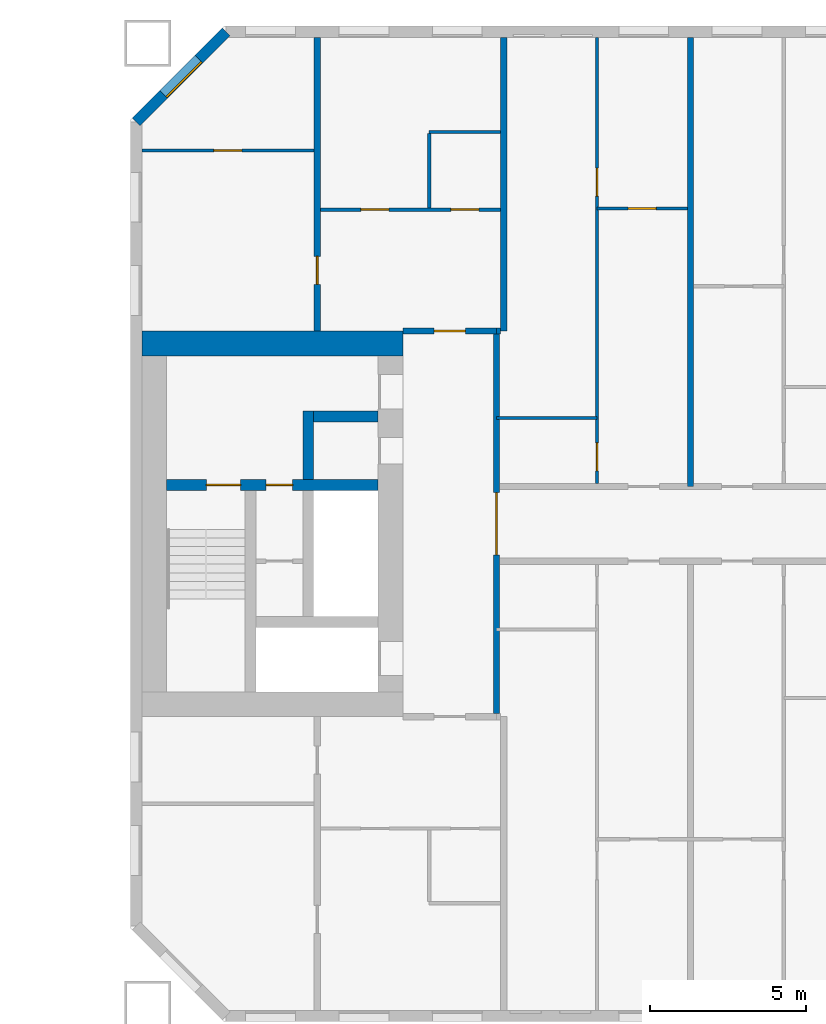
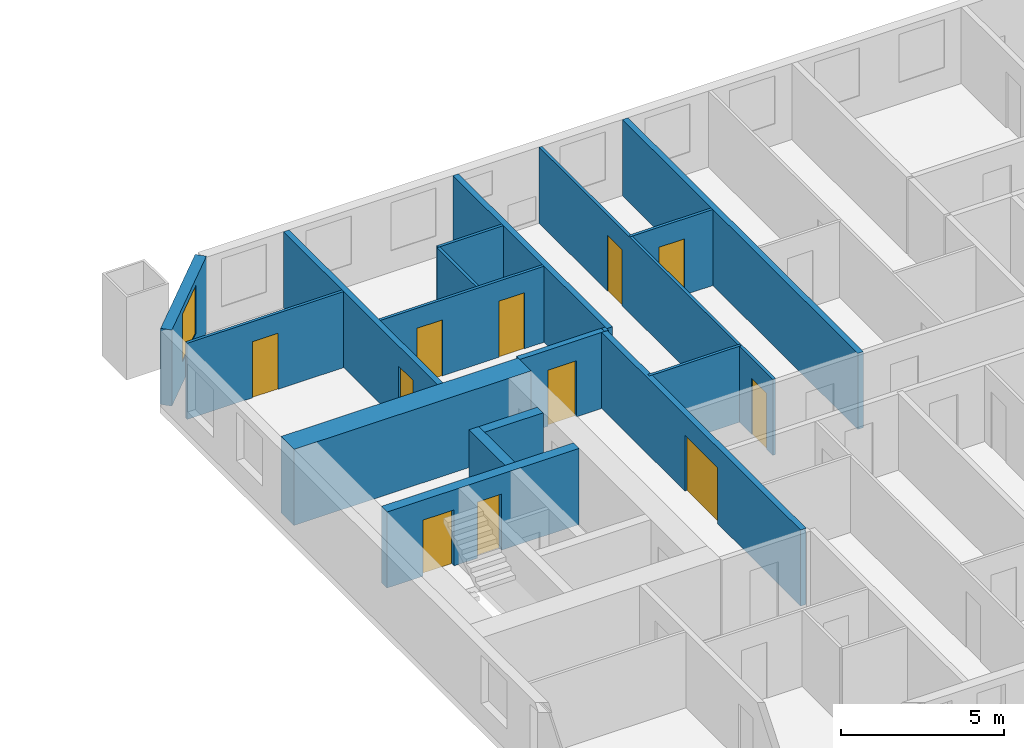
# One storey, part 10 of 17: 18 walls, 11 doors, 1 window, 12 openings.
"""IFC4 building model written with IfcOpenShell, lengths in metres."""

from ifc_helpers import new_model, si_unit, direction, frame, frame_2d, origin, place, context, subcontext, project, spatial, rectangle, extrude, material, layer, layer_set, type_object, element, fill, save


model = new_model("IFC4")

# Units and contexts
model_context = context("Model", 3, precision=1e-05, world=origin(), true_north=direction((0.0, 1.0)))
body_context = subcontext(model_context, "Body", "Model", "MODEL_VIEW")
ifc_project = project(units=[si_unit("LENGTHUNIT", "METRE"), si_unit("AREAUNIT", "SQUARE_METRE"), si_unit("VOLUMEUNIT", "CUBIC_METRE"), si_unit("PLANEANGLEUNIT", "RADIAN"), si_unit("MASSUNIT", "GRAM", prefix="KILO")], contexts=[model_context])

# Site, building, storey
site_placement = place(None, origin())
site = spatial("IfcSite", under=ifc_project, at=site_placement, CompositionType="ELEMENT")
building_placement = place(site_placement, origin())
building = spatial("IfcBuilding", under=site, at=building_placement, Name="Tuart Gate Housing", CompositionType="ELEMENT")
storey_placement = place(building_placement, frame((0.0, 0.0, 53.60009765625)))
storey = spatial("IfcBuildingStorey", under=building, at=storey_placement, Name="L14", CompositionType="ELEMENT", Elevation=53.60009765625)

# Wall, opening, window
ifc_material_1 = material(Name="Brick", Category="masonry")
ifc_layer_1 = layer(ifc_material_1, 0.360107421875)
ifc_layer_set_1 = layer_set([ifc_layer_1], Name="Brick pier and spandrel wall 360")
wall_type_1 = type_object("IfcWallType", Name="Brick pier and spandrel wall 360", PredefinedType="STANDARD", material=ifc_layer_set_1)
wall_1_placement = place(storey_placement, frame((134.07470703125, 85.820068359375, 0.0), z_axis=(0.0, 0.0, 1.0), x_axis=(-0.707106781187, -0.707106781187, 0.0)))
wall_1 = element("IfcWall", 1, at=wall_1_placement, inside=storey, type_object=wall_type_1, Name="External wall B-NW L14", PredefinedType="STANDARD", context=body_context, shape_type="SweptSolid", body=[
    extrude(rectangle(XDim=4.09375, YDim=0.360107421875, at=frame_2d((2.046875, 0.0))), origin(), (0.0, 0.0, 1.0), 2.849853515625),
])
opening_1_placement = place(wall_1_placement, frame((1.2470703125, 0.0, 0.800048828125)))
opening_1 = element("IfcOpeningElement", 2, at=opening_1_placement, cuts=wall_1, Name="Opening W1", PredefinedType="OPENING", context=body_context, shape_type="SweptSolid", body=[
    extrude(rectangle(XDim=1.60009765625, YDim=1.800048828125, at=frame_2d((0.800048828125, 0.89990234375))), frame((0.0, 0.18994140625, 0.0), z_axis=(0.0, -1.0, 0.0), x_axis=(1.0, 0.0, 0.0)), (0.0, 0.0, 1.0), 0.380126953125),
])
ifc_material_2 = material(Name="Aluminium frame with clear glass", Category="aluminium")
window_type = type_object("IfcWindowType", Name="Punched window 1600 x 1800", PartitioningType="SINGLE_PANEL", PredefinedType="WINDOW", material=ifc_material_2)
window_placement = place(opening_1_placement, origin())
window = element("IfcWindow", 3, at=window_placement, inside=storey, type_object=window_type, Name="Window W1", OverallHeight=1.800048828125, OverallWidth=1.60009765625, PartitioningType="SINGLE_PANEL", PredefinedType="WINDOW", context=body_context, shape_type="SweptSolid", body=[
    extrude(rectangle(XDim=1.60009765625, YDim=1.800048828125, at=frame_2d((0.800048828125, 0.89990234375))), frame((0.0, 0.150146484375, 0.0), z_axis=(0.0, -1.0, 0.0), x_axis=(1.0, 0.0, 0.0)), (0.0, 0.0, 1.0), 0.06005859375),
])
fill(opening_1, window)

# Wall, openings, doors
ifc_material_3 = material(Name="Concrete C60", Category="concrete")
ifc_layer_2 = layer(ifc_material_3, 0.35009765625)
ifc_layer_set_2 = layer_set([ifc_layer_2], Name="Core wall 350 C60")
wall_type_2 = type_object("IfcWallType", Name="Core wall 350 C60", PredefinedType="SHEAR", material=ifc_layer_set_2)
wall_2_placement = place(storey_placement, frame((138.9599609375, 71.25, 0.0), z_axis=(0.0, 0.0, 1.0), x_axis=(-1.0, 0.0, 0.0)))
wall_2 = element("IfcWall", 4, at=wall_2_placement, inside=storey, type_object=wall_type_2, Name="Core wall BG.3", PredefinedType="SHEAR", context=body_context, shape_type="SweptSolid", body=[
    extrude(rectangle(XDim=6.800048828125, YDim=0.35009765625, at=frame_2d((3.39990234375, 0.0))), origin(), (0.0, 0.0, 1.0), 2.849853515625),
])
opening_2_placement = place(wall_2_placement, frame((4.425048828125, 0.0, 0.0)))
opening_2 = element("IfcOpeningElement", 5, at=opening_2_placement, cuts=wall_2, Name="Opening D798", PredefinedType="OPENING", context=body_context, shape_type="SweptSolid", body=[
    extrude(rectangle(XDim=1.10009765625, YDim=2.10009765625, at=frame_2d((0.550048828125, 1.050048828125))), frame((0.0, 0.18505859375, 0.0), z_axis=(0.0, -1.0, 0.0), x_axis=(1.0, 0.0, 0.0)), (0.0, 0.0, 1.0), 0.3701171875),
])
opening_3_placement = place(wall_2_placement, frame((2.75, 0.0, 0.0)))
opening_3 = element("IfcOpeningElement", 6, at=opening_3_placement, cuts=wall_2, Name="Opening D797", PredefinedType="OPENING", context=body_context, shape_type="SweptSolid", body=[
    extrude(rectangle(XDim=0.85009765625, YDim=2.10009765625, at=frame_2d((0.425048828125, 1.050048828125))), frame((0.0, 0.18505859375, 0.0), z_axis=(0.0, -1.0, 0.0), x_axis=(1.0, 0.0, 0.0)), (0.0, 0.0, 1.0), 0.3701171875),
])
ifc_material_4 = material(Name="Steel fire door", Category="steel")
door_type_1 = type_object("IfcDoorType", Name="Riser door 850 x 2100", OperationType="SINGLE_SWING_LEFT", PredefinedType="DOOR", material=ifc_material_4)
door_1_placement = place(opening_3_placement, origin())
door_1 = element("IfcDoor", 7, at=door_1_placement, inside=storey, type_object=door_type_1, Name="Service room door BG.W1", OperationType="SINGLE_SWING_LEFT", OverallHeight=2.10009765625, OverallWidth=0.85009765625, PredefinedType="DOOR", context=body_context, shape_type="SweptSolid", body=[
    extrude(rectangle(XDim=0.85009765625, YDim=2.10009765625, at=frame_2d((0.425048828125, 1.050048828125))), frame((0.0, 0.02490234375, 0.0), z_axis=(0.0, -1.0, 0.0), x_axis=(1.0, 0.0, 0.0)), (0.0, 0.0, 1.0), 0.050048828125),
])
fill(opening_3, door_1)
ifc_material_5 = material(Name="Steel fire door", Category="steel")
door_type_2 = type_object("IfcDoorType", Name="Stair door 1100 x 2100", OperationType="SINGLE_SWING_LEFT", PredefinedType="DOOR", material=ifc_material_5)
door_2_placement = place(opening_2_placement, origin())
door_2 = element("IfcDoor", 8, at=door_2_placement, inside=storey, type_object=door_type_2, Name="Stair door BG.SD", OperationType="SINGLE_SWING_LEFT", OverallHeight=2.10009765625, OverallWidth=1.10009765625, PredefinedType="DOOR", context=body_context, shape_type="SweptSolid", body=[
    extrude(rectangle(XDim=1.10009765625, YDim=2.10009765625, at=frame_2d((0.550048828125, 1.050048828125))), frame((0.0, 0.02490234375, 0.0), z_axis=(0.0, -1.0, 0.0), x_axis=(1.0, 0.0, 0.0)), (0.0, 0.0, 1.0), 0.050048828125),
])
fill(opening_2, door_2)

# Walls
wall_3_placement = place(storey_placement, frame((138.9599609375, 73.449951171875, 0.0), z_axis=(0.0, 0.0, 1.0), x_axis=(-1.0, 0.0, 0.0)))
element("IfcWall", 9, at=wall_3_placement, inside=storey, type_object=wall_type_2, Name="Core wall BG.4", PredefinedType="SHEAR", context=body_context, shape_type="SweptSolid", body=[
    extrude(rectangle(XDim=2.074951171875, YDim=0.35009765625, at=frame_2d((1.03759765625, 0.0))), origin(), (0.0, 0.0, 1.0), 2.849853515625),
])
wall_4_placement = place(storey_placement, frame((136.7099609375, 71.425048828125, 0.0), z_axis=(0.0, 0.0, 1.0), x_axis=(0.0, 1.0, 0.0)))
element("IfcWall", 10, at=wall_4_placement, inside=storey, type_object=wall_type_2, Name="Core wall BG.6", PredefinedType="SHEAR", context=body_context, shape_type="SweptSolid", body=[
    extrude(rectangle(XDim=2.199951171875, YDim=0.35009765625, at=frame_2d((1.10009765625, 0.0))), origin(), (0.0, 0.0, 1.0), 2.849853515625),
])
ifc_material_6 = material(Name="Concrete C60", Category="concrete")
ifc_layer_3 = layer(ifc_material_6, 0.800048828125)
ifc_layer_set_3 = layer_set([ifc_layer_3], Name="Core wall 800 C60")
wall_type_3 = type_object("IfcWallType", Name="Core wall 800 C60", PredefinedType="SHEAR", material=ifc_layer_set_3)
wall_5_placement = place(storey_placement, frame((139.760009765625, 75.800048828125, 0.0), z_axis=(0.0, 0.0, 1.0), x_axis=(-1.0, 0.0, 0.0)))
element("IfcWall", 11, at=wall_5_placement, inside=storey, type_object=wall_type_3, Name="Core wall BG north", PredefinedType="SHEAR", context=body_context, shape_type="SweptSolid", body=[
    extrude(rectangle(XDim=8.39990234375, YDim=0.800048828125, at=frame_2d((4.199951171875, 0.0))), origin(), (0.0, 0.0, 1.0), 2.849853515625),
])

# Wall, opening, door
ifc_material_7 = material(Name="Concrete masonry 15 MPa", Category="masonry")
ifc_layer_4 = layer(ifc_material_7, 0.199951171875)
ifc_layer_set_4 = layer_set([ifc_layer_4], Name="Enclosure wall masonry 200")
wall_type_4 = type_object("IfcWallType", Name="Enclosure wall masonry 200", PredefinedType="PARTITIONING", material=ifc_layer_set_4)
wall_6_placement = place(storey_placement, frame((139.760009765625, 76.199951171875, 0.0), z_axis=(0.0, 0.0, 1.0), x_axis=(1.0, 0.0, 0.0)))
wall_6 = element("IfcWall", 12, at=wall_6_placement, inside=storey, type_object=wall_type_4, Name="Enclosure wall masonry 200", PredefinedType="PARTITIONING", context=body_context, shape_type="SweptSolid", body=[
    extrude(rectangle(XDim=3.0, YDim=0.199951171875, at=frame_2d((1.5, 0.0))), origin(), (0.0, 0.0, 1.0), 2.849853515625),
])
opening_4_placement = place(wall_6_placement, frame((1.0, 0.0, 0.0)))
opening_4 = element("IfcOpeningElement", 13, at=opening_4_placement, cuts=wall_6, Name="Opening D795", PredefinedType="OPENING", context=body_context, shape_type="SweptSolid", body=[
    extrude(rectangle(XDim=1.0, YDim=2.10009765625, at=frame_2d((0.5, 1.050048828125))), frame((0.0, 0.10986328125, 0.0), z_axis=(0.0, -1.0, 0.0), x_axis=(1.0, 0.0, 0.0)), (0.0, 0.0, 1.0), 0.219970703125),
])
ifc_material_8 = material(Name="Timber door leaf in steel frame", Category="steel")
door_type_3 = type_object("IfcDoorType", Name="Flat entrance door 1000 RH", OperationType="SINGLE_SWING_RIGHT", PredefinedType="DOOR", material=ifc_material_8)
door_3_placement = place(opening_4_placement, origin())
door_3 = element("IfcDoor", 14, at=door_3_placement, inside=storey, type_object=door_type_3, Name="Flat entrance door", OperationType="SINGLE_SWING_RIGHT", OverallHeight=2.10009765625, OverallWidth=1.0, PredefinedType="DOOR", context=body_context, shape_type="SweptSolid", body=[
    extrude(rectangle(XDim=1.0, YDim=2.10009765625, at=frame_2d((0.5, 1.050048828125))), frame((0.0, 0.02490234375, 0.0), z_axis=(0.0, -1.0, 0.0), x_axis=(1.0, 0.0, 0.0)), (0.0, 0.0, 1.0), 0.050048828125),
])
fill(opening_4, door_3)

ifc_material_9 = material(Name="Plasterboard partition")
ifc_layer_5 = layer(ifc_material_9, 0.199951171875)
ifc_layer_set_5 = layer_set([ifc_layer_5], Name="Lobby wall 200")
wall_type_5 = type_object("IfcWallType", Name="Lobby wall 200", PredefinedType="PARTITIONING", material=ifc_layer_set_5)
wall_7_placement = place(storey_placement, frame((142.760009765625, 63.89990234375, 0.0), z_axis=(0.0, 0.0, 1.0), x_axis=(0.0, 1.0, 0.0)))
wall_7 = element("IfcWall", 15, at=wall_7_placement, inside=storey, type_object=wall_type_5, Name="Lift lobby wall BG", PredefinedType="PARTITIONING", context=body_context, shape_type="SweptSolid", body=[
    extrude(rectangle(XDim=12.2001953125, YDim=0.199951171875, at=frame_2d((6.10009765625, 0.0))), origin(), (0.0, 0.0, 1.0), 2.849853515625),
])
opening_5_placement = place(wall_7_placement, frame((5.10009765625, 0.0, 0.0)))
opening_5 = element("IfcOpeningElement", 16, at=opening_5_placement, cuts=wall_7, Name="Opening D803", PredefinedType="OPENING", context=body_context, shape_type="SweptSolid", body=[
    extrude(rectangle(XDim=2.0, YDim=2.10009765625, at=frame_2d((1.0, 1.050048828125))), frame((0.0, 0.10986328125, 0.0), z_axis=(0.0, -1.0, 0.0), x_axis=(1.0, 0.0, 0.0)), (0.0, 0.0, 1.0), 0.219970703125),
])
ifc_material_10 = material(Name="Steel fire door", Category="steel")
door_type_4 = type_object("IfcDoorType", Name="Smoke door 2000 x 2100", OperationType="DOUBLE_DOOR_SINGLE_SWING", PredefinedType="DOOR", material=ifc_material_10)
door_4_placement = place(opening_5_placement, origin())
door_4 = element("IfcDoor", 17, at=door_4_placement, inside=storey, type_object=door_type_4, Name="Lift lobby smoke door BG", OperationType="DOUBLE_DOOR_SINGLE_SWING", OverallHeight=2.10009765625, OverallWidth=2.0, PredefinedType="DOOR", context=body_context, shape_type="SweptSolid", body=[
    extrude(rectangle(XDim=2.0, YDim=2.10009765625, at=frame_2d((1.0, 1.050048828125))), frame((0.0, 0.02490234375, 0.0), z_axis=(0.0, -1.0, 0.0), x_axis=(1.0, 0.0, 0.0)), (0.0, 0.0, 1.0), 0.050048828125),
])
fill(opening_5, door_4)

# Wall
ifc_material_11 = material(Name="Gypsum board on steel studs", Category="steel")
ifc_layer_6 = layer(ifc_material_11, 0.10009765625)
ifc_layer_set_6 = layer_set([ifc_layer_6], Name="Partition 100")
wall_type_6 = type_object("IfcWallType", Name="Partition 100", PredefinedType="PARTITIONING", material=ifc_layer_set_6)
wall_8_placement = place(storey_placement, frame((142.760009765625, 73.39990234375, 0.0), z_axis=(0.0, 0.0, 1.0), x_axis=(1.0, 0.0, 0.0)))
element("IfcWall", 18, at=wall_8_placement, inside=storey, type_object=wall_type_6, Name="Partition 100", PredefinedType="PARTITIONING", context=body_context, shape_type="SweptSolid", body=[
    extrude(rectangle(XDim=3.239990234375, YDim=0.10009765625, at=frame_2d((1.6201171875, 0.0))), origin(), (0.0, 0.0, 1.0), 2.849853515625),
])

# Wall, openings, doors
wall_9_placement = place(storey_placement, frame((137.10009765625, 80.10009765625, 0.0), z_axis=(0.0, 0.0, 1.0), x_axis=(1.0, 0.0, 0.0)))
wall_9 = element("IfcWall", 19, at=wall_9_placement, inside=storey, type_object=wall_type_6, Name="Partition 100", PredefinedType="PARTITIONING", context=body_context, shape_type="SweptSolid", body=[
    extrude(rectangle(XDim=5.7998046875, YDim=0.10009765625, at=frame_2d((2.89990234375, 0.0))), origin(), (0.0, 0.0, 1.0), 2.849853515625),
])
opening_6_placement = place(wall_9_placement, frame((1.300048828125, 0.0, 0.0)))
opening_6 = element("IfcOpeningElement", 20, at=opening_6_placement, cuts=wall_9, Name="Opening D787", PredefinedType="OPENING", context=body_context, shape_type="SweptSolid", body=[
    extrude(rectangle(XDim=0.89990234375, YDim=2.10009765625, at=frame_2d((0.449951171875, 1.050048828125))), frame((0.0, 0.06005859375, 0.0), z_axis=(0.0, -1.0, 0.0), x_axis=(1.0, 0.0, 0.0)), (0.0, 0.0, 1.0), 0.1201171875),
])
opening_7_placement = place(wall_9_placement, frame((4.199951171875, 0.0, 0.0)))
opening_7 = element("IfcOpeningElement", 21, at=opening_7_placement, cuts=wall_9, Name="Opening D786", PredefinedType="OPENING", context=body_context, shape_type="SweptSolid", body=[
    extrude(rectangle(XDim=0.89990234375, YDim=2.10009765625, at=frame_2d((0.449951171875, 1.050048828125))), frame((0.0, 0.06005859375, 0.0), z_axis=(0.0, -1.0, 0.0), x_axis=(1.0, 0.0, 0.0)), (0.0, 0.0, 1.0), 0.1201171875),
])
ifc_material_12 = material(Name="Timber door leaf in steel frame", Category="steel")
door_type_5 = type_object("IfcDoorType", Name="Bathroom door 900", OperationType="SINGLE_SWING_LEFT", PredefinedType="DOOR", material=ifc_material_12)
door_5_placement = place(opening_7_placement, origin())
door_5 = element("IfcDoor", 22, at=door_5_placement, inside=storey, type_object=door_type_5, Name="Bathroom door", OperationType="SINGLE_SWING_LEFT", OverallHeight=2.10009765625, OverallWidth=0.89990234375, PredefinedType="DOOR", context=body_context, shape_type="SweptSolid", body=[
    extrude(rectangle(XDim=0.89990234375, YDim=2.10009765625, at=frame_2d((0.449951171875, 1.050048828125))), frame((0.0, 0.02490234375, 0.0), z_axis=(0.0, -1.0, 0.0), x_axis=(1.0, 0.0, 0.0)), (0.0, 0.0, 1.0), 0.050048828125),
])
fill(opening_7, door_5)
ifc_material_13 = material(Name="Timber door leaf in steel frame", Category="steel")
door_type_6 = type_object("IfcDoorType", Name="Internal door 900 RH", OperationType="SINGLE_SWING_RIGHT", PredefinedType="DOOR", material=ifc_material_13)
door_6_placement = place(opening_6_placement, origin())
door_6 = element("IfcDoor", 23, at=door_6_placement, inside=storey, type_object=door_type_6, Name="Internal door", OperationType="SINGLE_SWING_RIGHT", OverallHeight=2.10009765625, OverallWidth=0.89990234375, PredefinedType="DOOR", context=body_context, shape_type="SweptSolid", body=[
    extrude(rectangle(XDim=0.89990234375, YDim=2.10009765625, at=frame_2d((0.449951171875, 1.050048828125))), frame((0.0, 0.02490234375, 0.0), z_axis=(0.0, -1.0, 0.0), x_axis=(1.0, 0.0, 0.0)), (0.0, 0.0, 1.0), 0.050048828125),
])
fill(opening_6, door_6)

# Wall, opening, door
wall_10_placement = place(storey_placement, frame((146.0, 80.139892578125, 0.0), z_axis=(0.0, 0.0, 1.0), x_axis=(1.0, 0.0, 0.0)))
wall_10 = element("IfcWall", 24, at=wall_10_placement, inside=storey, type_object=wall_type_6, Name="Partition 100", PredefinedType="PARTITIONING", context=body_context, shape_type="SweptSolid", body=[
    extrude(rectangle(XDim=2.89990234375, YDim=0.10009765625, at=frame_2d((1.449951171875, 0.0))), origin(), (0.0, 0.0, 1.0), 2.849853515625),
])
opening_8_placement = place(wall_10_placement, frame((1.0, 0.0, 0.0)))
opening_8 = element("IfcOpeningElement", 25, at=opening_8_placement, cuts=wall_10, Name="Opening D785", PredefinedType="OPENING", context=body_context, shape_type="SweptSolid", body=[
    extrude(rectangle(XDim=0.89990234375, YDim=2.10009765625, at=frame_2d((0.449951171875, 1.050048828125))), frame((0.0, 0.06005859375, 0.0), z_axis=(0.0, -1.0, 0.0), x_axis=(1.0, 0.0, 0.0)), (0.0, 0.0, 1.0), 0.1201171875),
])
door_7_placement = place(opening_8_placement, frame((0.89990234375, 0.0, 0.0), z_axis=(0.0, 0.0, 1.0), x_axis=(-1.0, 0.0, 0.0)))
door_7 = element("IfcDoor", 26, at=door_7_placement, inside=storey, type_object=door_type_6, Name="Internal door", OperationType="SINGLE_SWING_RIGHT", OverallHeight=2.10009765625, OverallWidth=0.89990234375, PredefinedType="DOOR", context=body_context, shape_type="SweptSolid", body=[
    extrude(rectangle(XDim=0.89990234375, YDim=2.10009765625, at=frame_2d((0.449951171875, 1.050048828125))), frame((0.0, 0.025146484375, 0.0), z_axis=(0.0, -1.0, 0.0), x_axis=(1.0, 0.0, 0.0)), (0.0, 0.0, 1.0), 0.050048828125),
])
fill(opening_8, door_7)

wall_11_placement = place(storey_placement, frame((131.360107421875, 82.0, 0.0), z_axis=(0.0, 0.0, 1.0), x_axis=(1.0, 0.0, 0.0)))
wall_11 = element("IfcWall", 27, at=wall_11_placement, inside=storey, type_object=wall_type_6, Name="Partition 100", PredefinedType="PARTITIONING", context=body_context, shape_type="SweptSolid", body=[
    extrude(rectangle(XDim=5.539794921875, YDim=0.10009765625, at=frame_2d((2.77001953125, 0.0))), origin(), (0.0, 0.0, 1.0), 2.849853515625),
])
opening_9_placement = place(wall_11_placement, frame((2.320068359375, 0.0, 0.0)))
opening_9 = element("IfcOpeningElement", 28, at=opening_9_placement, cuts=wall_11, Name="Opening D783", PredefinedType="OPENING", context=body_context, shape_type="SweptSolid", body=[
    extrude(rectangle(XDim=0.89990234375, YDim=2.10009765625, at=frame_2d((0.449951171875, 1.050048828125))), frame((0.0, 0.06005859375, 0.0), z_axis=(0.0, -1.0, 0.0), x_axis=(1.0, 0.0, 0.0)), (0.0, 0.0, 1.0), 0.1201171875),
])
ifc_material_14 = material(Name="Timber door leaf in steel frame", Category="steel")
door_type_7 = type_object("IfcDoorType", Name="Internal door 900", OperationType="SINGLE_SWING_LEFT", PredefinedType="DOOR", material=ifc_material_14)
door_8_placement = place(opening_9_placement, origin())
door_8 = element("IfcDoor", 29, at=door_8_placement, inside=storey, type_object=door_type_7, Name="Internal door", OperationType="SINGLE_SWING_LEFT", OverallHeight=2.10009765625, OverallWidth=0.89990234375, PredefinedType="DOOR", context=body_context, shape_type="SweptSolid", body=[
    extrude(rectangle(XDim=0.89990234375, YDim=2.10009765625, at=frame_2d((0.449951171875, 1.050048828125))), frame((0.0, 0.02490234375, 0.0), z_axis=(0.0, -1.0, 0.0), x_axis=(1.0, 0.0, 0.0)), (0.0, 0.0, 1.0), 0.050048828125),
])
fill(opening_9, door_8)

# Walls
wall_12_placement = place(storey_placement, frame((140.60009765625, 82.60009765625, 0.0), z_axis=(0.0, 0.0, 1.0), x_axis=(1.0, 0.0, 0.0)))
element("IfcWall", 30, at=wall_12_placement, inside=storey, type_object=wall_type_6, Name="Partition 100", PredefinedType="PARTITIONING", context=body_context, shape_type="SweptSolid", body=[
    extrude(rectangle(XDim=2.2998046875, YDim=0.10009765625, at=frame_2d((1.14990234375, 0.0))), origin(), (0.0, 0.0, 1.0), 2.849853515625),
])
wall_13_placement = place(storey_placement, frame((140.60009765625, 80.14990234375, 0.0), z_axis=(0.0, 0.0, 1.0), x_axis=(0.0, 1.0, 0.0)))
element("IfcWall", 31, at=wall_13_placement, inside=storey, type_object=wall_type_6, Name="Partition 100", PredefinedType="PARTITIONING", context=body_context, shape_type="SweptSolid", body=[
    extrude(rectangle(XDim=2.400146484375, YDim=0.10009765625, at=frame_2d((1.2001953125, 0.0))), origin(), (0.0, 0.0, 1.0), 2.849853515625),
])

# Wall, openings, doors
wall_14_placement = place(storey_placement, frame((146.0, 71.300048828125, 0.0), z_axis=(0.0, 0.0, 1.0), x_axis=(0.0, 1.0, 0.0)))
wall_14 = element("IfcWall", 32, at=wall_14_placement, inside=storey, type_object=wall_type_6, Name="Partition 100", PredefinedType="PARTITIONING", context=body_context, shape_type="SweptSolid", body=[
    extrude(rectangle(XDim=14.33984375, YDim=0.10009765625, at=frame_2d((7.169921875, 0.0))), origin(), (0.0, 0.0, 1.0), 2.849853515625),
])
opening_10_placement = place(wall_14_placement, frame((9.239990234375, 0.0, 0.0)))
opening_10 = element("IfcOpeningElement", 33, at=opening_10_placement, cuts=wall_14, Name="Opening D791", PredefinedType="OPENING", context=body_context, shape_type="SweptSolid", body=[
    extrude(rectangle(XDim=0.89990234375, YDim=2.10009765625, at=frame_2d((0.449951171875, 1.050048828125))), frame((0.0, 0.06005859375, 0.0), z_axis=(0.0, -1.0, 0.0), x_axis=(1.0, 0.0, 0.0)), (0.0, 0.0, 1.0), 0.1201171875),
])
opening_11_placement = place(wall_14_placement, frame((0.39990234375, 0.0, 0.0)))
opening_11 = element("IfcOpeningElement", 34, at=opening_11_placement, cuts=wall_14, Name="Opening D790", PredefinedType="OPENING", context=body_context, shape_type="SweptSolid", body=[
    extrude(rectangle(XDim=0.89990234375, YDim=2.10009765625, at=frame_2d((0.449951171875, 1.050048828125))), frame((0.0, 0.06005859375, 0.0), z_axis=(0.0, -1.0, 0.0), x_axis=(1.0, 0.0, 0.0)), (0.0, 0.0, 1.0), 0.1201171875),
])
door_9_placement = place(opening_11_placement, origin())
door_9 = element("IfcDoor", 35, at=door_9_placement, inside=storey, type_object=door_type_5, Name="Bathroom door", OperationType="SINGLE_SWING_LEFT", OverallHeight=2.10009765625, OverallWidth=0.89990234375, PredefinedType="DOOR", context=body_context, shape_type="SweptSolid", body=[
    extrude(rectangle(XDim=0.89990234375, YDim=2.10009765625, at=frame_2d((0.449951171875, 1.050048828125))), frame((0.0, 0.02490234375, 0.0), z_axis=(0.0, -1.0, 0.0), x_axis=(1.0, 0.0, 0.0)), (0.0, 0.0, 1.0), 0.050048828125),
])
fill(opening_11, door_9)
door_10_placement = place(opening_10_placement, origin())
door_10 = element("IfcDoor", 36, at=door_10_placement, inside=storey, type_object=door_type_6, Name="Internal door", OperationType="SINGLE_SWING_RIGHT", OverallHeight=2.10009765625, OverallWidth=0.89990234375, PredefinedType="DOOR", context=body_context, shape_type="SweptSolid", body=[
    extrude(rectangle(XDim=0.89990234375, YDim=2.10009765625, at=frame_2d((0.449951171875, 1.050048828125))), frame((0.0, 0.02490234375, 0.0), z_axis=(0.0, -1.0, 0.0), x_axis=(1.0, 0.0, 0.0)), (0.0, 0.0, 1.0), 0.050048828125),
])
fill(opening_10, door_10)

# Wall, opening, door
ifc_material_15 = material(Name="Concrete C40", Category="concrete")
ifc_layer_7 = layer(ifc_material_15, 0.199951171875)
ifc_layer_set_7 = layer_set([ifc_layer_7], Name="Party wall concrete C40 200")
wall_type_7 = type_object("IfcWallType", Name="Party wall concrete C40 200", PredefinedType="SOLIDWALL", material=ifc_layer_set_7)
wall_15_placement = place(storey_placement, frame((137.0, 76.199951171875, 0.0), z_axis=(0.0, 0.0, 1.0), x_axis=(0.0, 1.0, 0.0)))
wall_15 = element("IfcWall", 37, at=wall_15_placement, inside=storey, type_object=wall_type_7, Name="Party wall concrete C40 200", PredefinedType="SOLIDWALL", context=body_context, shape_type="SweptSolid", body=[
    extrude(rectangle(XDim=9.43994140625, YDim=0.199951171875, at=frame_2d((4.719970703125, 0.0))), origin(), (0.0, 0.0, 1.0), 2.849853515625),
])
opening_12_placement = place(wall_15_placement, frame((1.5, 0.0, 0.0)))
opening_12 = element("IfcOpeningElement", 38, at=opening_12_placement, cuts=wall_15, Name="Opening D784", PredefinedType="OPENING", context=body_context, shape_type="SweptSolid", body=[
    extrude(rectangle(XDim=0.89990234375, YDim=2.10009765625, at=frame_2d((0.449951171875, 1.050048828125))), frame((0.0, 0.10986328125, 0.0), z_axis=(0.0, -1.0, 0.0), x_axis=(1.0, 0.0, 0.0)), (0.0, 0.0, 1.0), 0.219970703125),
])
door_11_placement = place(opening_12_placement, frame((0.89990234375, 0.0, 0.0), z_axis=(0.0, 0.0, 1.0), x_axis=(-1.0, 0.0, 0.0)))
door_11 = element("IfcDoor", 39, at=door_11_placement, inside=storey, type_object=door_type_6, Name="Internal door", OperationType="SINGLE_SWING_RIGHT", OverallHeight=2.10009765625, OverallWidth=0.89990234375, PredefinedType="DOOR", context=body_context, shape_type="SweptSolid", body=[
    extrude(rectangle(XDim=0.89990234375, YDim=2.10009765625, at=frame_2d((0.449951171875, 1.050048828125))), frame((0.0, 0.025146484375, 0.0), z_axis=(0.0, -1.0, 0.0), x_axis=(1.0, 0.0, 0.0)), (0.0, 0.0, 1.0), 0.050048828125),
])
fill(opening_12, door_11)

# Walls
wall_16_placement = place(storey_placement, frame((143.0, 76.199951171875, 0.0), z_axis=(0.0, 0.0, 1.0), x_axis=(0.0, 1.0, 0.0)))
element("IfcWall", 40, at=wall_16_placement, inside=storey, type_object=wall_type_7, Name="Party wall concrete C40 200", PredefinedType="SOLIDWALL", context=body_context, shape_type="SweptSolid", body=[
    extrude(rectangle(XDim=9.43994140625, YDim=0.199951171875, at=frame_2d((4.719970703125, 0.0))), origin(), (0.0, 0.0, 1.0), 2.849853515625),
])
wall_17_placement = place(storey_placement, frame((149.0, 71.199951171875, 0.0), z_axis=(0.0, 0.0, 1.0), x_axis=(0.0, 1.0, 0.0)))
element("IfcWall", 41, at=wall_17_placement, inside=storey, type_object=wall_type_7, Name="Party wall concrete C40 200", PredefinedType="SOLIDWALL", context=body_context, shape_type="SweptSolid", body=[
    extrude(rectangle(XDim=14.43994140625, YDim=0.199951171875, at=frame_2d((7.219970703125, 0.0))), origin(), (0.0, 0.0, 1.0), 2.849853515625),
])
ifc_material_16 = material(Name="Concrete masonry 15 MPa", Category="masonry")
ifc_layer_8 = layer(ifc_material_16, 0.199951171875)
ifc_layer_set_8 = layer_set([ifc_layer_8], Name="Party wall masonry 200")
wall_type_8 = type_object("IfcWallType", Name="Party wall masonry 200", PredefinedType="PARTITIONING", material=ifc_layer_set_8)
wall_18_placement = place(storey_placement, frame((142.760009765625, 76.199951171875, 0.0), z_axis=(0.0, 0.0, 1.0), x_axis=(1.0, 0.0, 0.0)))
element("IfcWall", 42, at=wall_18_placement, inside=storey, type_object=wall_type_8, Name="Party wall masonry 200", PredefinedType="PARTITIONING", context=body_context, shape_type="SweptSolid", body=[
    extrude(rectangle(XDim=0.139892578125, YDim=0.199951171875, at=frame_2d((0.06982421875, 0.0))), origin(), (0.0, 0.0, 1.0), 2.849853515625),
])

save(model, "model.ifc")
